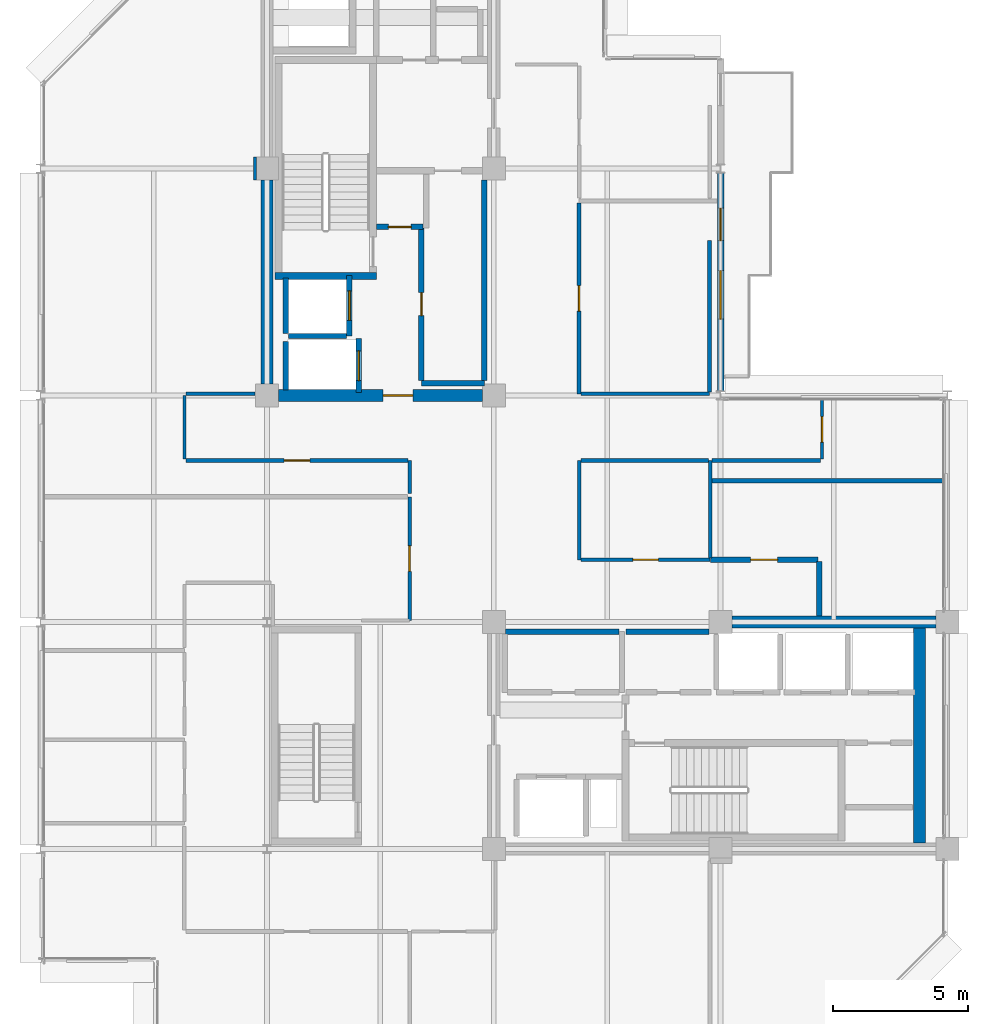
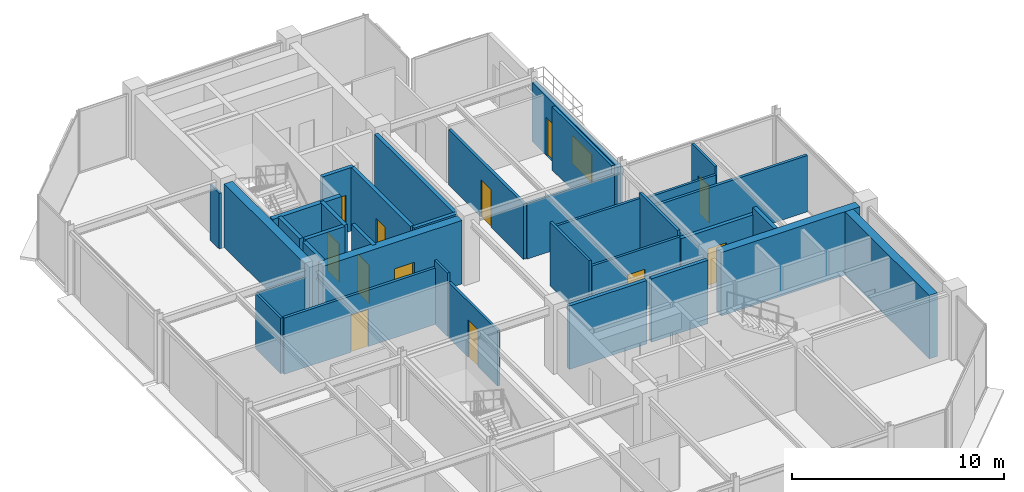
# One storey, part 21 of 25: 35 walls, 12 doors, 1 window, 13 openings.
"""IFC4 building model written with IfcOpenShell, lengths in metres."""

from ifc_helpers import new_model, si_unit, direction, frame, frame_2d, origin, place, context, subcontext, project, spatial, rectangle, extrude, material, layer, layer_set, type_object, element, fill, save


model = new_model("IFC4")

# Units and contexts
model_context = context("Model", 3, precision=1e-05, world=origin(), true_north=direction((0.0, 1.0)))
body_context = subcontext(model_context, "Body", "Model", "MODEL_VIEW")
ifc_project = project(units=[si_unit("LENGTHUNIT", "METRE"), si_unit("AREAUNIT", "SQUARE_METRE"), si_unit("VOLUMEUNIT", "CUBIC_METRE"), si_unit("PLANEANGLEUNIT", "RADIAN"), si_unit("MASSUNIT", "GRAM", prefix="KILO")], contexts=[model_context])

# Site, building, storey
site_placement = place(None, origin())
site = spatial("IfcSite", under=ifc_project, at=site_placement, CompositionType="ELEMENT")
building_placement = place(site_placement, origin())
building = spatial("IfcBuilding", under=site, at=building_placement, Name="Nerrivon Quay Data Exchange", CompositionType="ELEMENT")
storey_placement = place(building_placement, frame((0.0, 0.0, 318.199951171875)))
storey = spatial("IfcBuildingStorey", under=building, at=storey_placement, Name="L76", CompositionType="ELEMENT", Elevation=318.199951171875)

# Wall, openings, door, window
ifc_material_1 = material(Name="Architectural terracotta precast concrete N50 (50 MPa)", Category="masonry")
ifc_layer_1 = layer(ifc_material_1, 0.239990234375)
ifc_layer_set_1 = layer_set([ifc_layer_1], Name="Architectural terracotta precast concrete N50 (50 MPa)")
wall_type_1 = type_object("IfcWallType", Name="EW-PREC-240", PredefinedType="STANDARD", material=ifc_layer_set_1)
wall_1_placement = place(storey_placement, frame((25.199951171875, 33.4365234375, 0.0), z_axis=(0.0, 0.0, 1.0), x_axis=(0.0, -1.0, 0.0)))
wall_1 = element("IfcWall", 1, at=wall_1_placement, inside=storey, type_object=wall_type_1, Name="L76 Terrace Host Wall 20", PredefinedType="STANDARD", context=body_context, shape_type="SweptSolid", body=[
    extrude(rectangle(XDim=8.072998046875, YDim=0.239990234375, at=frame_2d((4.03662109375, 0.0))), origin(), (0.0, 0.0, 1.0), 3.400146484375),
])
opening_1_placement = place(wall_1_placement, frame((1.300048828125, 0.0, 0.0)))
opening_1 = element("IfcOpeningElement", 2, at=opening_1_placement, cuts=wall_1, Name="Opening TD1", PredefinedType="OPENING", context=body_context, shape_type="SweptSolid", body=[
    extrude(rectangle(XDim=1.199951171875, YDim=2.199951171875, at=frame_2d((0.60009765625, 1.10009765625))), frame((0.0, 0.1298828125, 0.0), z_axis=(0.0, -1.0, 0.0), x_axis=(1.0, 0.0, 0.0)), (0.0, 0.0, 1.0), 0.260009765625),
])
opening_2_placement = place(wall_1_placement, frame((3.61083984375, 0.0, 0.89990234375)))
opening_2 = element("IfcOpeningElement", 3, at=opening_2_placement, cuts=wall_1, Name="Opening WN2", PredefinedType="OPENING", context=body_context, shape_type="SweptSolid", body=[
    extrude(rectangle(XDim=1.800048828125, YDim=1.60009765625, at=frame_2d((0.89990234375, 0.800048828125))), frame((0.0, 0.1298828125, 0.0), z_axis=(0.0, -1.0, 0.0), x_axis=(1.0, 0.0, 0.0)), (0.0, 0.0, 1.0), 0.260009765625),
])
ifc_material_2 = material(Name="Double-glazed low-E solar control glass", Category="glass")
door_type_1 = type_object("IfcDoorType", Name="DR-TERR-1200x2200", OperationType="NOTDEFINED", PredefinedType="DOOR", material=ifc_material_2)
door_1_placement = place(opening_1_placement, origin())
door_1 = element("IfcDoor", 4, at=door_1_placement, inside=storey, type_object=door_type_1, Name="L76 Outdoor Terrace Access Door 20", OperationType="SINGLE_SWING_LEFT", OverallHeight=2.199951171875, OverallWidth=1.199951171875, PredefinedType="DOOR", context=body_context, shape_type="SweptSolid", body=[
    extrude(rectangle(XDim=1.199951171875, YDim=2.199951171875, at=frame_2d((0.60009765625, 1.10009765625))), frame((0.0, 0.02490234375, 0.0), z_axis=(0.0, -1.0, 0.0), x_axis=(1.0, 0.0, 0.0)), (0.0, 0.0, 1.0), 0.050048828125),
])
fill(opening_1, door_1)
window_type = type_object("IfcWindowType", Name="WIN-W2-1800x1600", PartitioningType="SINGLE_PANEL", PredefinedType="WINDOW", material=ifc_material_2)
window_placement = place(opening_2_placement, origin())
window = element("IfcWindow", 5, at=window_placement, inside=storey, type_object=window_type, Name="L76 Terrace Side Window 20", OverallHeight=1.60009765625, OverallWidth=1.800048828125, PartitioningType="SINGLE_PANEL", PredefinedType="WINDOW", context=body_context, shape_type="SweptSolid", body=[
    extrude(rectangle(XDim=1.800048828125, YDim=1.60009765625, at=frame_2d((0.89990234375, 0.800048828125))), frame((0.0, 0.030029296875, 0.0), z_axis=(0.0, -1.0, 0.0), x_axis=(1.0, 0.0, 0.0)), (0.0, 0.0, 1.0), 0.06005859375),
])
fill(opening_2, window)

# Wall
ifc_material_3 = material(Name="Concrete N50 (50 MPa)", Category="concrete")
ifc_layer_2 = layer(ifc_material_3, 0.449951171875)
ifc_layer_set_2 = layer_set([ifc_layer_2], Name="Concrete N50 (50 MPa)")
wall_type_2 = type_object("IfcWallType", Name="WALL-CW-550", PredefinedType="SHEAR", material=ifc_layer_set_2)
wall_2_placement = place(storey_placement, frame((8.39990234375, 25.625, 0.0), z_axis=(0.0, 0.0, 1.0), x_axis=(0.0, 1.0, 0.0)))
element("IfcWall", 6, at=wall_2_placement, inside=storey, type_object=wall_type_2, Name="L76 West Split-Core Shear Wall WCW-W1", PredefinedType="SHEAR", context=body_context, shape_type="SweptSolid", body=[
    extrude(rectangle(XDim=7.550048828125, YDim=0.449951171875, at=frame_2d((3.77490234375, 0.0))), origin(), (0.0, 0.0, 1.0), 3.650146484375),
])

# Wall, opening, door
wall_3_placement = place(storey_placement, frame((8.824951171875, 25.199951171875, 0.0), z_axis=(0.0, 0.0, 1.0), x_axis=(1.0, 0.0, 0.0)))
wall_3 = element("IfcWall", 7, at=wall_3_placement, inside=storey, type_object=wall_type_2, Name="L76 West Split-Core Shear Wall WCW-S1", PredefinedType="SHEAR", context=body_context, shape_type="SweptSolid", body=[
    extrude(rectangle(XDim=7.550048828125, YDim=0.449951171875, at=frame_2d((3.77490234375, 0.0))), origin(), (0.0, 0.0, 1.0), 3.650146484375),
])
opening_3_placement = place(wall_3_placement, frame((3.875, 0.0, 0.0)))
opening_3 = element("IfcOpeningElement", 8, at=opening_3_placement, cuts=wall_3, Name="Opening FD-120", PredefinedType="OPENING", context=body_context, shape_type="SweptSolid", body=[
    extrude(rectangle(XDim=1.10009765625, YDim=2.14990234375, at=frame_2d((0.550048828125, 1.074951171875))), frame((0.0, 0.23486328125, 0.0), z_axis=(0.0, -1.0, 0.0), x_axis=(1.0, 0.0, 0.0)), (0.0, 0.0, 1.0), 0.469970703125),
])
ifc_material_4 = material(Name="Powder-coated galvanized steel sheet", Category="steel")
door_type_2 = type_object("IfcDoorType", Name="DR-FD120-1100", OperationType="NOTDEFINED", PredefinedType="DOOR", material=ifc_material_4)
door_2_placement = place(opening_3_placement, origin())
door_2 = element("IfcDoor", 9, at=door_2_placement, inside=storey, type_object=door_type_2, Name="L76 West Core Lobby Fire Door", OperationType="SINGLE_SWING_LEFT", OverallHeight=2.14990234375, OverallWidth=1.10009765625, PredefinedType="DOOR", context=body_context, shape_type="SweptSolid", body=[
    extrude(rectangle(XDim=1.10009765625, YDim=2.14990234375, at=frame_2d((0.550048828125, 1.074951171875))), frame((0.0, 0.02490234375, 0.0), z_axis=(0.0, -1.0, 0.0), x_axis=(1.0, 0.0, 0.0)), (0.0, 0.0, 1.0), 0.050048828125),
])
fill(opening_3, door_2)

# Walls
wall_4_placement = place(storey_placement, frame((32.574951171875, 8.625, 0.0), z_axis=(0.0, 0.0, 1.0), x_axis=(0.0, 1.0, 0.0)))
element("IfcWall", 10, at=wall_4_placement, inside=storey, type_object=wall_type_2, Name="L76 East Split-Core Shear Wall ECW-E1", PredefinedType="SHEAR", context=body_context, shape_type="SweptSolid", body=[
    extrude(rectangle(XDim=7.949951171875, YDim=0.449951171875, at=frame_2d((3.97509765625, 0.0))), origin(), (0.0, 0.0, 1.0), 3.650146484375),
])
wall_5_placement = place(storey_placement, frame((25.625, 16.800048828125, 0.0), z_axis=(0.0, 0.0, 1.0), x_axis=(1.0, 0.0, 0.0)))
element("IfcWall", 11, at=wall_5_placement, inside=storey, type_object=wall_type_2, Name="L76 East Split-Core Shear Wall ECW-N1", PredefinedType="SHEAR", context=body_context, shape_type="SweptSolid", body=[
    extrude(rectangle(XDim=7.550048828125, YDim=0.449951171875, at=frame_2d((3.77490234375, 0.0))), origin(), (0.0, 0.0, 1.0), 3.650146484375),
])

# Wall, opening, door
ifc_material_5 = material(Name="Gypsum plasterboard on cold-formed framing", Category="gypsum")
ifc_layer_3 = layer(ifc_material_5, 0.199951171875)
ifc_layer_set_3 = layer_set([ifc_layer_3], Name="Gypsum plasterboard on cold-formed framing")
wall_type_3 = type_object("IfcWallType", Name="WALL-FW-200", PredefinedType="PARTITIONING", material=ifc_layer_set_3)
wall_6_placement = place(storey_placement, frame((11.449951171875, 27.39990234375, 0.0), z_axis=(0.0, 0.0, 1.0), x_axis=(0.0, 1.0, 0.0)))
wall_6 = element("IfcWall", 12, at=wall_6_placement, inside=storey, type_object=wall_type_3, Name="L76 Lift Front Wall FFL-1", PredefinedType="PARTITIONING", context=body_context, shape_type="SweptSolid", body=[
    extrude(rectangle(XDim=2.25, YDim=0.199951171875, at=frame_2d((1.125, 0.0))), origin(), (0.0, 0.0, 1.0), 3.650146484375),
])
opening_4_placement = place(wall_6_placement, frame((0.574951171875, 0.0, 0.0)))
opening_4 = element("IfcOpeningElement", 13, at=opening_4_placement, cuts=wall_6, Name="Opening LD-120", PredefinedType="OPENING", context=body_context, shape_type="SweptSolid", body=[
    extrude(rectangle(XDim=1.10009765625, YDim=2.199951171875, at=frame_2d((0.550048828125, 1.10009765625))), frame((0.0, 0.10986328125, 0.0), z_axis=(0.0, -1.0, 0.0), x_axis=(1.0, 0.0, 0.0)), (0.0, 0.0, 1.0), 0.219970703125),
])
door_type_3 = type_object("IfcDoorType", Name="DR-LIFT-LD120", OperationType="DOUBLE_DOOR_SLIDING", PredefinedType="DOOR", material=ifc_material_4)
door_3_placement = place(opening_4_placement, origin())
door_3 = element("IfcDoor", 14, at=door_3_placement, inside=storey, type_object=door_type_3, Name="L76 Lift Landing Sliding Door FFL-1", OperationType="DOUBLE_DOOR_SLIDING", OverallHeight=2.199951171875, OverallWidth=1.10009765625, PredefinedType="DOOR", context=body_context, shape_type="SweptSolid", body=[
    extrude(rectangle(XDim=1.10009765625, YDim=2.199951171875, at=frame_2d((0.550048828125, 1.10009765625))), frame((0.0, 0.02490234375, 0.0), z_axis=(0.0, -1.0, 0.0), x_axis=(1.0, 0.0, 0.0)), (0.0, 0.0, 1.0), 0.050048828125),
])
fill(opening_4, door_3)

# Walls
wall_7_placement = place(storey_placement, frame((9.10009765625, 27.5, 0.0), z_axis=(0.0, 0.0, 1.0), x_axis=(0.0, 1.0, 0.0)))
element("IfcWall", 15, at=wall_7_placement, inside=storey, type_object=wall_type_3, Name="L76 Lift Shaft Wall FFL-1 WEST", PredefinedType="PARTITIONING", context=body_context, shape_type="SweptSolid", body=[
    extrude(rectangle(XDim=2.050048828125, YDim=0.199951171875, at=frame_2d((1.02490234375, 0.0))), origin(), (0.0, 0.0, 1.0), 3.650146484375),
])
wall_8_placement = place(storey_placement, frame((9.199951171875, 27.39990234375, 0.0), z_axis=(0.0, 0.0, 1.0), x_axis=(1.0, 0.0, 0.0)))
element("IfcWall", 16, at=wall_8_placement, inside=storey, type_object=wall_type_3, Name="L76 Lift Shaft Wall FFL-1 SOUTH", PredefinedType="PARTITIONING", context=body_context, shape_type="SweptSolid", body=[
    extrude(rectangle(XDim=2.150146484375, YDim=0.199951171875, at=frame_2d((1.0751953125, 0.0))), origin(), (0.0, 0.0, 1.0), 3.650146484375),
])

# Wall, opening, door
wall_9_placement = place(storey_placement, frame((11.800048828125, 25.300048828125, 0.0), z_axis=(0.0, 0.0, 1.0), x_axis=(0.0, 1.0, 0.0)))
wall_9 = element("IfcWall", 17, at=wall_9_placement, inside=storey, type_object=wall_type_3, Name="L76 Lift Front Wall SVL-1", PredefinedType="PARTITIONING", context=body_context, shape_type="SweptSolid", body=[
    extrude(rectangle(XDim=2.0, YDim=0.199951171875, at=frame_2d((1.0, 0.0))), origin(), (0.0, 0.0, 1.0), 3.650146484375),
])
opening_5_placement = place(wall_9_placement, frame((0.449951171875, 0.0, 0.0)))
opening_5 = element("IfcOpeningElement", 18, at=opening_5_placement, cuts=wall_9, Name="Opening LD-120", PredefinedType="OPENING", context=body_context, shape_type="SweptSolid", body=[
    extrude(rectangle(XDim=1.10009765625, YDim=2.199951171875, at=frame_2d((0.550048828125, 1.10009765625))), frame((0.0, 0.10986328125, 0.0), z_axis=(0.0, -1.0, 0.0), x_axis=(1.0, 0.0, 0.0)), (0.0, 0.0, 1.0), 0.219970703125),
])
door_4_placement = place(opening_5_placement, origin())
door_4 = element("IfcDoor", 19, at=door_4_placement, inside=storey, type_object=door_type_3, Name="L76 Lift Landing Sliding Door SVL-1", OperationType="DOUBLE_DOOR_SLIDING", OverallHeight=2.199951171875, OverallWidth=1.10009765625, PredefinedType="DOOR", context=body_context, shape_type="SweptSolid", body=[
    extrude(rectangle(XDim=1.10009765625, YDim=2.199951171875, at=frame_2d((0.550048828125, 1.10009765625))), frame((0.0, 0.02490234375, 0.0), z_axis=(0.0, -1.0, 0.0), x_axis=(1.0, 0.0, 0.0)), (0.0, 0.0, 1.0), 0.050048828125),
])
fill(opening_5, door_4)

# Walls
wall_10_placement = place(storey_placement, frame((9.10009765625, 25.39990234375, 0.0), z_axis=(0.0, 0.0, 1.0), x_axis=(0.0, 1.0, 0.0)))
element("IfcWall", 20, at=wall_10_placement, inside=storey, type_object=wall_type_3, Name="L76 Lift Shaft Wall SVL-1 WEST", PredefinedType="PARTITIONING", context=body_context, shape_type="SweptSolid", body=[
    extrude(rectangle(XDim=1.800048828125, YDim=0.199951171875, at=frame_2d((0.89990234375, 0.0))), origin(), (0.0, 0.0, 1.0), 3.650146484375),
])
wall_11_placement = place(storey_placement, frame((14.1201171875, 25.64990234375, 0.0), z_axis=(0.0, 0.0, 1.0), x_axis=(1.0, 0.0, 0.0)))
element("IfcWall", 21, at=wall_11_placement, inside=storey, type_object=wall_type_3, Name="L76 Partition Core Equipment Store", PredefinedType="PARTITIONING", context=body_context, shape_type="SweptSolid", body=[
    extrude(rectangle(XDim=2.329833984375, YDim=0.199951171875, at=frame_2d((1.1650390625, 0.0))), origin(), (0.0, 0.0, 1.0), 3.650146484375),
])
wall_12_placement = place(storey_placement, frame((16.449951171875, 25.75390625, 0.0), z_axis=(0.0, 0.0, 1.0), x_axis=(0.0, 1.0, 0.0)))
element("IfcWall", 22, at=wall_12_placement, inside=storey, type_object=wall_type_3, Name="L76 Partition Core Equipment Store", PredefinedType="PARTITIONING", context=body_context, shape_type="SweptSolid", body=[
    extrude(rectangle(XDim=7.416015625, YDim=0.199951171875, at=frame_2d((3.7080078125, 0.0))), origin(), (0.0, 0.0, 1.0), 3.650146484375),
])

# Wall, opening, door
wall_13_placement = place(storey_placement, frame((14.1201171875, 31.39990234375, 0.0), z_axis=(0.0, 0.0, 1.0), x_axis=(0.0, -1.0, 0.0)))
wall_13 = element("IfcWall", 23, at=wall_13_placement, inside=storey, type_object=wall_type_3, Name="L76 Partition Core Equipment Store", PredefinedType="PARTITIONING", context=body_context, shape_type="SweptSolid", body=[
    extrude(rectangle(XDim=5.64599609375, YDim=0.199951171875, at=frame_2d((2.822998046875, 0.0))), origin(), (0.0, 0.0, 1.0), 3.650146484375),
])
opening_6_placement = place(wall_13_placement, frame((2.39794921875, 0.0, 0.0)))
opening_6 = element("IfcOpeningElement", 24, at=opening_6_placement, cuts=wall_13, Name="Opening FD-60S", PredefinedType="OPENING", context=body_context, shape_type="SweptSolid", body=[
    extrude(rectangle(XDim=0.85009765625, YDim=2.14990234375, at=frame_2d((0.425048828125, 1.074951171875))), frame((0.0, 0.10986328125, 0.0), z_axis=(0.0, -1.0, 0.0), x_axis=(1.0, 0.0, 0.0)), (0.0, 0.0, 1.0), 0.219970703125),
])
ifc_material_6 = material(Name="Engineered hardwood timber", Category="wood")
door_type_4 = type_object("IfcDoorType", Name="DR-FD60-850", OperationType="NOTDEFINED", PredefinedType="DOOR", material=ifc_material_6)
door_5_placement = place(opening_6_placement, origin())
door_5 = element("IfcDoor", 25, at=door_5_placement, inside=storey, type_object=door_type_4, Name="L76 Door Core Equipment Store", OperationType="SINGLE_SWING_RIGHT", OverallHeight=2.14990234375, OverallWidth=0.85009765625, PredefinedType="DOOR", context=body_context, shape_type="SweptSolid", body=[
    extrude(rectangle(XDim=0.85009765625, YDim=2.14990234375, at=frame_2d((0.425048828125, 1.074951171875))), frame((0.0, 0.02490234375, 0.0), z_axis=(0.0, -1.0, 0.0), x_axis=(1.0, 0.0, 0.0)), (0.0, 0.0, 1.0), 0.050048828125),
])
fill(opening_6, door_5)

wall_14_placement = place(storey_placement, frame((12.4541015625, 31.43994140625, 0.0), z_axis=(0.0, 0.0, 1.0), x_axis=(1.0, 0.0, 0.0)))
wall_14 = element("IfcWall", 26, at=wall_14_placement, inside=storey, type_object=wall_type_3, Name="L76 Partition Optical Patch Closet", PredefinedType="PARTITIONING", context=body_context, shape_type="SweptSolid", body=[
    extrude(rectangle(XDim=1.725830078125, YDim=0.199951171875, at=frame_2d((0.86279296875, 0.0))), origin(), (0.0, 0.0, 1.0), 3.650146484375),
])
opening_7_placement = place(wall_14_placement, frame((0.43798828125, 0.0, 0.0)))
opening_7 = element("IfcOpeningElement", 27, at=opening_7_placement, cuts=wall_14, Name="Opening FD-60S", PredefinedType="OPENING", context=body_context, shape_type="SweptSolid", body=[
    extrude(rectangle(XDim=0.85009765625, YDim=2.14990234375, at=frame_2d((0.425048828125, 1.074951171875))), frame((0.0, 0.10986328125, 0.0), z_axis=(0.0, -1.0, 0.0), x_axis=(1.0, 0.0, 0.0)), (0.0, 0.0, 1.0), 0.219970703125),
])
door_6_placement = place(opening_7_placement, origin())
door_6 = element("IfcDoor", 28, at=door_6_placement, inside=storey, type_object=door_type_4, Name="L76 Door Optical Patch Closet", OperationType="SINGLE_SWING_LEFT", OverallHeight=2.14990234375, OverallWidth=0.85009765625, PredefinedType="DOOR", context=body_context, shape_type="SweptSolid", body=[
    extrude(rectangle(XDim=0.85009765625, YDim=2.14990234375, at=frame_2d((0.425048828125, 1.074951171875))), frame((0.0, 0.02490234375, 0.0), z_axis=(0.0, -1.0, 0.0), x_axis=(1.0, 0.0, 0.0)), (0.0, 0.0, 1.0), 0.050048828125),
])
fill(opening_7, door_6)

# Walls
wall_15_placement = place(storey_placement, frame((21.446044921875, 16.449951171875, 0.0), z_axis=(0.0, 0.0, 1.0), x_axis=(-1.0, 0.0, 0.0)))
element("IfcWall", 29, at=wall_15_placement, inside=storey, type_object=wall_type_3, Name="L76 Partition High-Zone Calibration Store", PredefinedType="PARTITIONING", context=body_context, shape_type="SweptSolid", body=[
    extrude(rectangle(XDim=4.216064453125, YDim=0.199951171875, at=frame_2d((2.10791015625, 0.0))), origin(), (0.0, 0.0, 1.0), 3.650146484375),
])
wall_16_placement = place(storey_placement, frame((24.77001953125, 16.449951171875, 0.0), z_axis=(0.0, 0.0, 1.0), x_axis=(-1.0, 0.0, 0.0)))
element("IfcWall", 30, at=wall_16_placement, inside=storey, type_object=wall_type_3, Name="L76 Partition High-Zone Network Closet", PredefinedType="PARTITIONING", context=body_context, shape_type="SweptSolid", body=[
    extrude(rectangle(XDim=3.070068359375, YDim=0.199951171875, at=frame_2d((1.53515625, 0.0))), origin(), (0.0, 0.0, 1.0), 3.650146484375),
])

# Wall, opening, door
wall_17_placement = place(storey_placement, frame((24.8359375, 19.110107421875, 0.0), z_axis=(0.0, 0.0, 1.0), x_axis=(1.0, 0.0, 0.0)))
wall_17 = element("IfcWall", 31, at=wall_17_placement, inside=storey, type_object=wall_type_3, Name="L76 Partition Colocation Data Workspace 1", PredefinedType="PARTITIONING", context=body_context, shape_type="SweptSolid", body=[
    extrude(rectangle(XDim=3.964111328125, YDim=0.199951171875, at=frame_2d((1.98193359375, 0.0))), origin(), (0.0, 0.0, 1.0), 3.244140625),
])
opening_8_placement = place(wall_17_placement, frame((1.48193359375, 0.0, 0.0)))
opening_8 = element("IfcOpeningElement", 32, at=opening_8_placement, cuts=wall_17, Name="Opening FD-60", PredefinedType="OPENING", context=body_context, shape_type="SweptSolid", body=[
    extrude(rectangle(XDim=1.0, YDim=2.14990234375, at=frame_2d((0.5, 1.074951171875))), frame((0.0, 0.10986328125, 0.0), z_axis=(0.0, -1.0, 0.0), x_axis=(1.0, 0.0, 0.0)), (0.0, 0.0, 1.0), 0.219970703125),
])
door_type_5 = type_object("IfcDoorType", Name="DR-FD60-1000", OperationType="NOTDEFINED", PredefinedType="DOOR", material=ifc_material_6)
door_7_placement = place(opening_8_placement, origin())
door_7 = element("IfcDoor", 33, at=door_7_placement, inside=storey, type_object=door_type_5, Name="L76 Door Colocation Data Workspace 1", OperationType="SINGLE_SWING_RIGHT", OverallHeight=2.14990234375, OverallWidth=1.0, PredefinedType="DOOR", context=body_context, shape_type="SweptSolid", body=[
    extrude(rectangle(XDim=1.0, YDim=2.14990234375, at=frame_2d((0.5, 1.074951171875))), frame((0.0, 0.02490234375, 0.0), z_axis=(0.0, -1.0, 0.0), x_axis=(1.0, 0.0, 0.0)), (0.0, 0.0, 1.0), 0.050048828125),
])
fill(opening_8, door_7)

# Wall
wall_18_placement = place(storey_placement, frame((28.860107421875, 19.050048828125, 0.0), z_axis=(0.0, 0.0, 1.0), x_axis=(0.0, -1.0, 0.0)))
element("IfcWall", 34, at=wall_18_placement, inside=storey, type_object=wall_type_3, Name="L76 Partition Colocation Data Workspace 1", PredefinedType="PARTITIONING", context=body_context, shape_type="SweptSolid", body=[
    extrude(rectangle(XDim=2.02099609375, YDim=0.199951171875, at=frame_2d((1.010498046875, 0.0))), origin(), (0.0, 0.0, 1.0), 3.650146484375),
])

# Wall, opening, door
ifc_layer_4 = layer(ifc_material_5, 0.1201171875)
ifc_layer_set_4 = layer_set([ifc_layer_4], Name="Gypsum plasterboard on cold-formed framing")
wall_type_4 = type_object("IfcWallType", Name="WALL-PT-120", PredefinedType="PARTITIONING", material=ifc_layer_set_4)
wall_19_placement = place(storey_placement, frame((28.9599609375, 25.031005859375, 0.0), z_axis=(0.0, 0.0, 1.0), x_axis=(0.0, -1.0, 0.0)))
wall_19 = element("IfcWall", 35, at=wall_19_placement, inside=storey, type_object=wall_type_4, Name="L76 Partition Client Conference Room 1", PredefinedType="PARTITIONING", context=body_context, shape_type="SweptSolid", body=[
    extrude(rectangle(XDim=2.180908203125, YDim=0.1201171875, at=frame_2d((1.09033203125, 0.0))), origin(), (0.0, 0.0, 1.0), 3.650146484375),
])
opening_9_placement = place(wall_19_placement, frame((0.615478515625, 0.0, 0.0)))
opening_9 = element("IfcOpeningElement", 36, at=opening_9_placement, cuts=wall_19, Name="Opening D-01", PredefinedType="OPENING", context=body_context, shape_type="SweptSolid", body=[
    extrude(rectangle(XDim=0.949951171875, YDim=2.14990234375, at=frame_2d((0.47509765625, 1.074951171875))), frame((0.0, 0.070068359375, 0.0), z_axis=(0.0, -1.0, 0.0), x_axis=(1.0, 0.0, 0.0)), (0.0, 0.0, 1.0), 0.14013671875),
])
door_type_6 = type_object("IfcDoorType", Name="DR-INT-950", OperationType="NOTDEFINED", PredefinedType="DOOR", material=ifc_material_6)
door_8_placement = place(opening_9_placement, origin())
door_8 = element("IfcDoor", 37, at=door_8_placement, inside=storey, type_object=door_type_6, Name="L76 Door Client Conference Room 1", OperationType="SINGLE_SWING_RIGHT", OverallHeight=2.14990234375, OverallWidth=0.949951171875, PredefinedType="DOOR", context=body_context, shape_type="SweptSolid", body=[
    extrude(rectangle(XDim=0.949951171875, YDim=2.14990234375, at=frame_2d((0.47509765625, 1.074951171875))), frame((0.0, 0.02490234375, 0.0), z_axis=(0.0, -1.0, 0.0), x_axis=(1.0, 0.0, 0.0)), (0.0, 0.0, 1.0), 0.050048828125),
])
fill(opening_9, door_8)

# Walls
wall_20_placement = place(storey_placement, frame((5.39990234375, 25.260009765625, 0.0), z_axis=(0.0, 0.0, 1.0), x_axis=(1.0, 0.0, 0.0)))
element("IfcWall", 38, at=wall_20_placement, inside=storey, type_object=wall_type_4, Name="L76 Partition Optical Engineering Studios Workspace", PredefinedType="PARTITIONING", context=body_context, shape_type="SweptSolid", body=[
    extrude(rectangle(XDim=2.55517578125, YDim=0.1201171875, at=frame_2d((1.277587890625, 0.0))), origin(), (0.0, 0.0, 1.0), 3.196044921875),
])
wall_21_placement = place(storey_placement, frame((7.955810546875, 33.169189453125, 0.0), z_axis=(0.0, 0.0, 1.0), x_axis=(-0.000855919801, 0.999999633701, 0.0)))
element("IfcWall", 39, at=wall_21_placement, inside=storey, type_object=wall_type_4, Name="L76 Partition Optical Engineering Studios Workspace", PredefinedType="PARTITIONING", context=body_context, shape_type="SweptSolid", body=[
    extrude(rectangle(XDim=0.855712890625, YDim=0.1201171875, at=frame_2d((0.427734375, 0.0))), origin(), (0.0, 0.0, 1.0), 3.196044921875),
])
wall_22_placement = place(storey_placement, frame((13.6826171875, 21.564453125, 0.0), z_axis=(0.0, 0.0, 1.0), x_axis=(0.0, 1.0, 0.0)))
element("IfcWall", 40, at=wall_22_placement, inside=storey, type_object=wall_type_4, Name="L76 Partition Optical Engineering Studios Workspace", PredefinedType="PARTITIONING", context=body_context, shape_type="SweptSolid", body=[
    extrude(rectangle(XDim=1.2255859375, YDim=0.1201171875, at=frame_2d((0.61279296875, 0.0))), origin(), (0.0, 0.0, 1.0), 3.650146484375),
])
wall_23_placement = place(storey_placement, frame((5.340087890625, 22.85009765625, 0.0), z_axis=(0.0, 0.0, 1.0), x_axis=(0.0, 1.0, 0.0)))
element("IfcWall", 41, at=wall_23_placement, inside=storey, type_object=wall_type_4, Name="L76 Partition Optical Engineering Studios Workspace", PredefinedType="PARTITIONING", context=body_context, shape_type="SweptSolid", body=[
    extrude(rectangle(XDim=2.349853515625, YDim=0.1201171875, at=frame_2d((1.1748046875, 0.0))), origin(), (0.0, 0.0, 1.0), 3.196044921875),
])
ifc_layer_5 = layer(ifc_material_5, 0.135009765625)
ifc_layer_set_5 = layer_set([ifc_layer_5], Name="Gypsum plasterboard on cold-formed framing")
wall_type_5 = type_object("IfcWallType", Name="WALL-PT-135", PredefinedType="PARTITIONING", material=ifc_layer_set_5)
wall_24_placement = place(storey_placement, frame((19.9599609375, 22.7900390625, 0.0), z_axis=(0.0, 0.0, 1.0), x_axis=(0.0, -1.0, 0.0)))
element("IfcWall", 42, at=wall_24_placement, inside=storey, type_object=wall_type_5, Name="L76 Partition Staff Pantry", PredefinedType="PARTITIONING", context=body_context, shape_type="SweptSolid", body=[
    extrude(rectangle(XDim=3.679931640625, YDim=0.135009765625, at=frame_2d((1.83984375, 0.0))), origin(), (0.0, 0.0, 1.0), 3.650146484375),
])

# Wall, opening, door
wall_25_placement = place(storey_placement, frame((20.031494140625, 19.110107421875, 0.0), z_axis=(0.0, 0.0, 1.0), x_axis=(1.0, 0.0, 0.0)))
wall_25 = element("IfcWall", 43, at=wall_25_placement, inside=storey, type_object=wall_type_5, Name="L76 Partition Staff Pantry", PredefinedType="PARTITIONING", context=body_context, shape_type="SweptSolid", body=[
    extrude(rectangle(XDim=4.784423828125, YDim=0.135009765625, at=frame_2d((2.39208984375, 0.0))), origin(), (0.0, 0.0, 1.0), 3.345947265625),
])
opening_10_placement = place(wall_25_placement, frame((1.917236328125, 0.0, 0.0)))
opening_10 = element("IfcOpeningElement", 44, at=opening_10_placement, cuts=wall_25, Name="Opening D-01", PredefinedType="OPENING", context=body_context, shape_type="SweptSolid", body=[
    extrude(rectangle(XDim=0.949951171875, YDim=2.14990234375, at=frame_2d((0.47509765625, 1.074951171875))), frame((0.0, 0.077392578125, 0.0), z_axis=(0.0, -1.0, 0.0), x_axis=(1.0, 0.0, 0.0)), (0.0, 0.0, 1.0), 0.155029296875),
])
door_9_placement = place(opening_10_placement, origin())
door_9 = element("IfcDoor", 45, at=door_9_placement, inside=storey, type_object=door_type_6, Name="L76 Door Staff Pantry", OperationType="SINGLE_SWING_LEFT", OverallHeight=2.14990234375, OverallWidth=0.949951171875, PredefinedType="DOOR", context=body_context, shape_type="SweptSolid", body=[
    extrude(rectangle(XDim=0.949951171875, YDim=2.14990234375, at=frame_2d((0.47509765625, 1.074951171875))), frame((0.0, 0.02490234375, 0.0), z_axis=(0.0, -1.0, 0.0), x_axis=(1.0, 0.0, 0.0)), (0.0, 0.0, 1.0), 0.050048828125),
])
fill(opening_10, door_9)

# Walls
wall_26_placement = place(storey_placement, frame((24.81591796875, 19.181396484375, 0.0), z_axis=(0.0, 0.0, 1.0), x_axis=(0.0, 1.0, 0.0)))
element("IfcWall", 46, at=wall_26_placement, inside=storey, type_object=wall_type_5, Name="L76 Partition Staff Pantry", PredefinedType="PARTITIONING", context=body_context, shape_type="SweptSolid", body=[
    extrude(rectangle(XDim=3.608642578125, YDim=0.135009765625, at=frame_2d((1.80419921875, 0.0))), origin(), (0.0, 0.0, 1.0), 3.650146484375),
])
wall_27_placement = place(storey_placement, frame((24.744384765625, 22.7900390625, 0.0), z_axis=(0.0, 0.0, 1.0), x_axis=(-1.0, 0.0, 0.0)))
element("IfcWall", 47, at=wall_27_placement, inside=storey, type_object=wall_type_5, Name="L76 Partition Staff Pantry", PredefinedType="PARTITIONING", context=body_context, shape_type="SweptSolid", body=[
    extrude(rectangle(XDim=4.712890625, YDim=0.135009765625, at=frame_2d((2.3564453125, 0.0))), origin(), (0.0, 0.0, 1.0), 3.345947265625),
])
wall_28_placement = place(storey_placement, frame((28.89990234375, 22.7900390625, 0.0), z_axis=(0.0, 0.0, 1.0), x_axis=(-1.0, 0.0, 0.0)))
element("IfcWall", 48, at=wall_28_placement, inside=storey, type_object=wall_type_5, Name="L76 Partition Client Conference Room 1", PredefinedType="PARTITIONING", context=body_context, shape_type="SweptSolid", body=[
    extrude(rectangle(XDim=4.012451171875, YDim=0.135009765625, at=frame_2d((2.00634765625, 0.0))), origin(), (0.0, 0.0, 1.0), 3.244140625),
])
wall_29_placement = place(storey_placement, frame((20.0390625, 25.260009765625, 0.0), z_axis=(0.0, 0.0, 1.0), x_axis=(1.0, 0.0, 0.0)))
element("IfcWall", 49, at=wall_29_placement, inside=storey, type_object=wall_type_5, Name="L76 Partition Engineers Lounge", PredefinedType="PARTITIONING", context=body_context, shape_type="SweptSolid", body=[
    extrude(rectangle(XDim=4.7568359375, YDim=0.135009765625, at=frame_2d((2.37841796875, 0.0))), origin(), (0.0, 0.0, 1.0), 3.196044921875),
])

# Wall, opening, door
wall_30_placement = place(storey_placement, frame((13.6826171875, 16.860107421875, 0.0), z_axis=(0.0, 0.0, 1.0), x_axis=(0.0, 1.0, 0.0)))
wall_30 = element("IfcWall", 50, at=wall_30_placement, inside=storey, type_object=wall_type_5, Name="L76 Partition Peering Huddle Meeting Room", PredefinedType="PARTITIONING", context=body_context, shape_type="SweptSolid", body=[
    extrude(rectangle(XDim=4.58447265625, YDim=0.135009765625, at=frame_2d((2.292236328125, 0.0))), origin(), (0.0, 0.0, 1.0), 3.196044921875),
])
opening_11_placement = place(wall_30_placement, frame((1.8173828125, 0.0, 0.0)))
opening_11 = element("IfcOpeningElement", 51, at=opening_11_placement, cuts=wall_30, Name="Opening D-01", PredefinedType="OPENING", context=body_context, shape_type="SweptSolid", body=[
    extrude(rectangle(XDim=0.949951171875, YDim=2.14990234375, at=frame_2d((0.47509765625, 1.074951171875))), frame((0.0, 0.077392578125, 0.0), z_axis=(0.0, -1.0, 0.0), x_axis=(1.0, 0.0, 0.0)), (0.0, 0.0, 1.0), 0.155029296875),
])
door_10_placement = place(opening_11_placement, origin())
door_10 = element("IfcDoor", 52, at=door_10_placement, inside=storey, type_object=door_type_6, Name="L76 Door Peering Huddle Meeting Room", OperationType="SINGLE_SWING_LEFT", OverallHeight=2.14990234375, OverallWidth=0.949951171875, PredefinedType="DOOR", context=body_context, shape_type="SweptSolid", body=[
    extrude(rectangle(XDim=0.949951171875, YDim=2.14990234375, at=frame_2d((0.47509765625, 1.074951171875))), frame((0.0, 0.02490234375, 0.0), z_axis=(0.0, -1.0, 0.0), x_axis=(1.0, 0.0, 0.0)), (0.0, 0.0, 1.0), 0.050048828125),
])
fill(opening_11, door_10)

# Wall
ifc_layer_6 = layer(ifc_material_5, 0.14990234375)
ifc_layer_set_6 = layer_set([ifc_layer_6], Name="Gypsum plasterboard on cold-formed framing")
wall_type_6 = type_object("IfcWallType", Name="WALL-PT-150", PredefinedType="PARTITIONING", material=ifc_layer_set_6)
wall_31_placement = place(storey_placement, frame((24.887451171875, 22.0380859375, 0.0), z_axis=(0.0, 0.0, 1.0), x_axis=(1.0, 0.0, 0.0)))
element("IfcWall", 53, at=wall_31_placement, inside=storey, type_object=wall_type_6, Name="L76 Partition Client Conference Room 1", PredefinedType="PARTITIONING", context=body_context, shape_type="SweptSolid", body=[
    extrude(rectangle(XDim=8.54345703125, YDim=0.14990234375, at=frame_2d((4.271728515625, 0.0))), origin(), (0.0, 0.0, 1.0), 3.244140625),
])

# Wall, opening, door
wall_32_placement = place(storey_placement, frame((19.9599609375, 32.326416015625, 0.0), z_axis=(0.0, 0.0, 1.0), x_axis=(0.0, -1.0, 0.0)))
wall_32 = element("IfcWall", 54, at=wall_32_placement, inside=storey, type_object=wall_type_6, Name="L76 Partition Engineers Lounge", PredefinedType="PARTITIONING", context=body_context, shape_type="SweptSolid", body=[
    extrude(rectangle(XDim=7.06640625, YDim=0.14990234375, at=frame_2d((3.533203125, 0.0))), origin(), (0.0, 0.0, 1.0), 3.196044921875),
])
opening_12_placement = place(wall_32_placement, frame((3.058349609375, 0.0, 0.0)))
opening_12 = element("IfcOpeningElement", 55, at=opening_12_placement, cuts=wall_32, Name="Opening D-01", PredefinedType="OPENING", context=body_context, shape_type="SweptSolid", body=[
    extrude(rectangle(XDim=0.949951171875, YDim=2.14990234375, at=frame_2d((0.47509765625, 1.074951171875))), frame((0.0, 0.0849609375, 0.0), z_axis=(0.0, -1.0, 0.0), x_axis=(1.0, 0.0, 0.0)), (0.0, 0.0, 1.0), 0.169921875),
])
door_11_placement = place(opening_12_placement, origin())
door_11 = element("IfcDoor", 56, at=door_11_placement, inside=storey, type_object=door_type_6, Name="L76 Door Engineers Lounge", OperationType="SINGLE_SWING_LEFT", OverallHeight=2.14990234375, OverallWidth=0.949951171875, PredefinedType="DOOR", context=body_context, shape_type="SweptSolid", body=[
    extrude(rectangle(XDim=0.949951171875, YDim=2.14990234375, at=frame_2d((0.47509765625, 1.074951171875))), frame((0.0, 0.02490234375, 0.0), z_axis=(0.0, -1.0, 0.0), x_axis=(1.0, 0.0, 0.0)), (0.0, 0.0, 1.0), 0.050048828125),
])
fill(opening_12, door_11)

# Wall
wall_33_placement = place(storey_placement, frame((24.7958984375, 25.33154296875, 0.0), z_axis=(0.0, 0.0, 1.0), x_axis=(0.0, 1.0, 0.0)))
element("IfcWall", 57, at=wall_33_placement, inside=storey, type_object=wall_type_6, Name="L76 Partition Engineers Lounge", PredefinedType="PARTITIONING", context=body_context, shape_type="SweptSolid", body=[
    extrude(rectangle(XDim=5.60498046875, YDim=0.14990234375, at=frame_2d((2.802490234375, 0.0))), origin(), (0.0, 0.0, 1.0), 3.650146484375),
])

# Wall, opening, door
wall_34_placement = place(storey_placement, frame((13.61865234375, 22.7900390625, 0.0), z_axis=(0.0, 0.0, 1.0), x_axis=(-1.0, 0.0, 0.0)))
wall_34 = element("IfcWall", 58, at=wall_34_placement, inside=storey, type_object=wall_type_6, Name="L76 Partition Optical Engineering Studios Workspace", PredefinedType="PARTITIONING", context=body_context, shape_type="SweptSolid", body=[
    extrude(rectangle(XDim=8.21875, YDim=0.14990234375, at=frame_2d((4.109375, 0.0))), origin(), (0.0, 0.0, 1.0), 3.244140625),
])
opening_13_placement = place(wall_34_placement, frame((3.63427734375, 0.0, 0.0)))
opening_13 = element("IfcOpeningElement", 59, at=opening_13_placement, cuts=wall_34, Name="Opening D-01", PredefinedType="OPENING", context=body_context, shape_type="SweptSolid", body=[
    extrude(rectangle(XDim=0.949951171875, YDim=2.14990234375, at=frame_2d((0.47509765625, 1.074951171875))), frame((0.0, 0.0849609375, 0.0), z_axis=(0.0, -1.0, 0.0), x_axis=(1.0, 0.0, 0.0)), (0.0, 0.0, 1.0), 0.169921875),
])
door_12_placement = place(opening_13_placement, origin())
door_12 = element("IfcDoor", 60, at=door_12_placement, inside=storey, type_object=door_type_6, Name="L76 Door Optical Engineering Studios Workspace", OperationType="SINGLE_SWING_LEFT", OverallHeight=2.14990234375, OverallWidth=0.949951171875, PredefinedType="DOOR", context=body_context, shape_type="SweptSolid", body=[
    extrude(rectangle(XDim=0.949951171875, YDim=2.14990234375, at=frame_2d((0.47509765625, 1.074951171875))), frame((0.0, 0.02490234375, 0.0), z_axis=(0.0, -1.0, 0.0), x_axis=(1.0, 0.0, 0.0)), (0.0, 0.0, 1.0), 0.050048828125),
])
fill(opening_13, door_12)

# Wall
ifc_layer_7 = layer(ifc_material_3, 0.25)
ifc_layer_set_7 = layer_set([ifc_layer_7], Name="Concrete N50 (50 MPa)")
wall_type_7 = type_object("IfcWallType", Name="WALL-SW-250", PredefinedType="SHEAR", material=ifc_layer_set_7)
wall_35_placement = place(storey_placement, frame((12.449951171875, 29.625, 0.0), z_axis=(0.0, 0.0, 1.0), x_axis=(-1.0, 0.0, 0.0)))
element("IfcWall", 61, at=wall_35_placement, inside=storey, type_object=wall_type_7, Name="L76 ST01 Structural Stair Core Wall NEAR", PredefinedType="SHEAR", context=body_context, shape_type="SweptSolid", body=[
    extrude(rectangle(XDim=3.75, YDim=0.25, at=frame_2d((1.875, 0.0))), origin(), (0.0, 0.0, 1.0), 3.650146484375),
])

save(model, "model.ifc")
